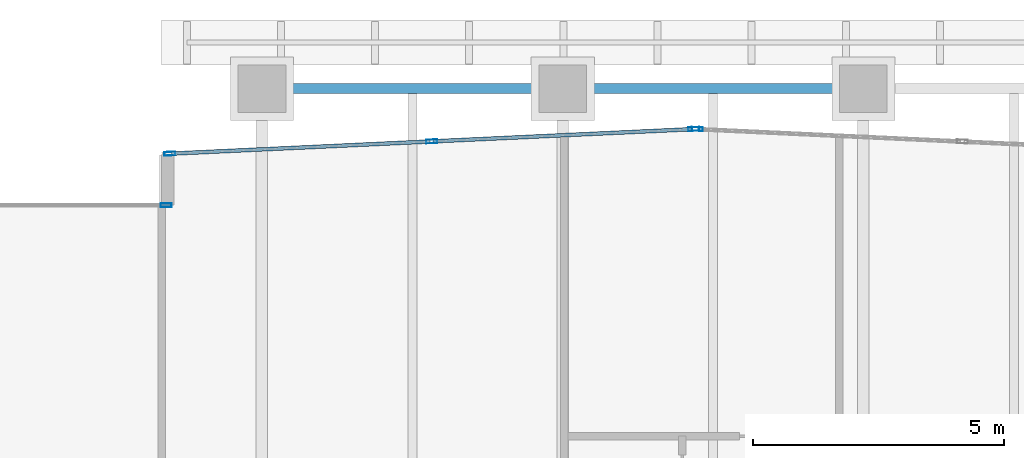
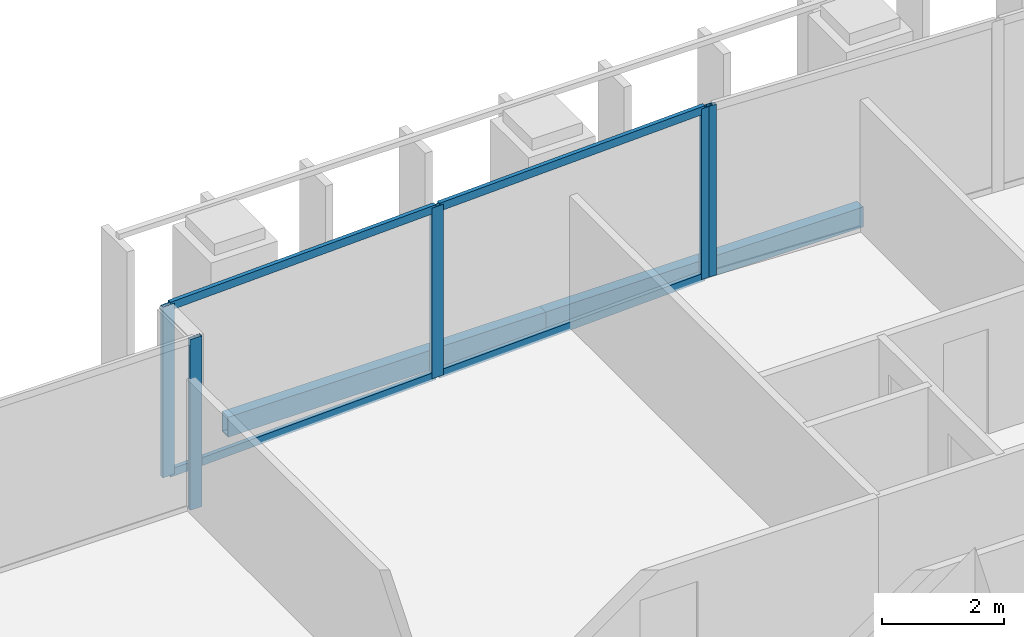
# One storey, part 16 of 39: 9 members, 2 beams, 3 elements without a shape of their own.
"""IFC4 building model written with IfcOpenShell, lengths in metres."""

import ifcopenshell
import ifcopenshell.guid

model = None  # the IFC model being written
_history = None  # IfcOwnerHistory: only IFC2X3 demands one
_inside = {}  # id of a spatial element -> (the spatial element, [elements in it])
_under = {}  # id of a project, library or spatial element -> (it, [spatial elements below it])
_declared = {}  # id of a project -> (the project, [libraries it declares])
_typed = {}  # id of a type object -> (the type object, [elements of that type])
_made_of = {}  # id of a material, layer set ... -> (it, [elements and type objects made of it])


def new_model(schema):
    """Start an empty IFC model of exactly this schema.

    Asked for "IFC4X3", IfcOpenShell would pick the latest addendum, in which some entities
    have other attributes; the version numbers below select the first issue.
    IFC2X3 requires an IfcOwnerHistory on every rooted entity: one is made here for all.
    """
    global model, _history
    if schema == "IFC4X3":
        model = ifcopenshell.file(schema_version=(4, 3, 0, 0))
    else:
        model = ifcopenshell.file(schema=schema)
    _inside.clear()
    _under.clear()
    _declared.clear()
    _typed.clear()
    _made_of.clear()
    _history = None
    if model.schema == "IFC2X3":
        org = make("IfcOrganization", Name="unknown")
        user = make(
            "IfcPersonAndOrganization",
            ThePerson=make("IfcPerson", FamilyName="unknown"),
            TheOrganization=org,
        )
        app = make(
            "IfcApplication",
            ApplicationDeveloper=org,
            Version="unknown",
            ApplicationFullName="unknown",
            ApplicationIdentifier="unknown",
        )
        _history = make(
            "IfcOwnerHistory",
            OwningUser=user,
            OwningApplication=app,
            ChangeAction="ADDED",
            CreationDate=0,
        )
    return model


def make(cls, **values):
    """One entity of the class cls with the attributes given. An attribute that is None is left unset."""
    return model.create_entity(
        cls, **{name: value for name, value in values.items() if value is not None}
    )


def rooted(cls, **values):
    """An entity with a GlobalId (a new one), such as an element, a storey or a relation."""
    return make(cls, GlobalId=ifcopenshell.guid.new(), OwnerHistory=_history, **values)


def si_unit(unit_type, name, prefix=None):
    """IfcSIUnit, for example si_unit("LENGTHUNIT", "METRE", prefix="MILLI")."""
    return make("IfcSIUnit", UnitType=unit_type, Prefix=prefix, Name=name)


def assignment(units):
    """IfcUnitAssignment: the units of a project."""
    return None if units is None else make("IfcUnitAssignment", Units=units)


def point(xyz):
    """IfcCartesianPoint."""
    return None if xyz is None else make("IfcCartesianPoint", Coordinates=xyz)


def direction(xyz):
    """IfcDirection."""
    return None if xyz is None else make("IfcDirection", DirectionRatios=xyz)


def frame(location, z_axis=None, x_axis=None):
    """IfcAxis2Placement3D, a coordinate frame: its origin and axes. An axis left out is left unset."""
    return make(
        "IfcAxis2Placement3D",
        Location=point(location),
        Axis=direction(z_axis),
        RefDirection=direction(x_axis),
    )


def frame_2d(location, x_axis=None):
    """IfcAxis2Placement2D, a coordinate frame in the plane: its origin and x axis."""
    return make(
        "IfcAxis2Placement2D", Location=point(location), RefDirection=direction(x_axis)
    )


def origin():
    """The frame at (0, 0, 0) with its axes left unset."""
    return frame((0.0, 0.0, 0.0))


def origin_2d():
    """The frame at (0, 0) in the plane with its x axis left unset."""
    return frame_2d((0.0, 0.0))


def place(relative_to, where):
    """IfcLocalPlacement: puts the frame where relative to a parent placement (None: the world)."""
    return make(
        "IfcLocalPlacement", PlacementRelTo=relative_to, RelativePlacement=where
    )


def context(
    kind, dimensions, precision=None, world=None, true_north=None, identifier=None
):
    """IfcGeometricRepresentationContext, for example the 3D "Model" context."""
    return make(
        "IfcGeometricRepresentationContext",
        ContextIdentifier=identifier,
        ContextType=kind,
        CoordinateSpaceDimension=dimensions,
        Precision=precision,
        WorldCoordinateSystem=world,
        TrueNorth=true_north,
    )


def subcontext(parent, identifier, kind, view, scale=None):
    """IfcGeometricRepresentationSubContext, for example "Body" below "Model"."""
    return make(
        "IfcGeometricRepresentationSubContext",
        ContextIdentifier=identifier,
        ContextType=kind,
        ParentContext=parent,
        TargetScale=scale,
        TargetView=view,
    )


def project(units=None, contexts=None):
    """IfcProject with its units and contexts."""
    return rooted(
        "IfcProject",
        Name="project",
        RepresentationContexts=contexts,
        UnitsInContext=assignment(units),
    )


def spatial(cls, under=None, at=None, **own):
    """A site, building, storey or space (cls), placed at a placement, below another one or the project."""
    s = rooted(cls, ObjectPlacement=at, **own)
    if under is not None:
        _under.setdefault(under.id(), (under, []))[1].append(s)
    return s


def profile(cls, at=None, kind="AREA", **sizes):
    """A parametric profile (cls). Its sizes go by their IFC names, for example OverallWidth=200.0."""
    return make(cls, ProfileType=kind, Position=at, **sizes)


def hollow_rectangle(**sizes):
    """IfcRectangleHollowProfileDef."""
    return profile("IfcRectangleHollowProfileDef", **sizes)


def extrude(swept, where, along, depth):
    """IfcExtrudedAreaSolid: the profile swept, set in the frame where, extruded along a direction by depth."""
    return make(
        "IfcExtrudedAreaSolid",
        SweptArea=swept,
        Position=where,
        ExtrudedDirection=direction(along),
        Depth=depth,
    )


def shape(context_of_items, identifier, shape_type, items):
    """IfcShapeRepresentation: the items that make up one representation, for example the "Body"."""
    return make(
        "IfcShapeRepresentation",
        ContextOfItems=context_of_items,
        RepresentationIdentifier=identifier,
        RepresentationType=shape_type,
        Items=items,
    )


def material(Name=None, Category=None):
    """IfcMaterial."""
    return make("IfcMaterial", Name=Name, Category=Category)


def layer(
    of_material, thickness, ventilated=None, Name=None, Category=None, Priority=None
):
    """IfcMaterialLayer: one layer of a wall or slab, of a material (None: an air gap)."""
    return make(
        "IfcMaterialLayer",
        Material=of_material,
        LayerThickness=thickness,
        IsVentilated=ventilated,
        Name=Name,
        Category=Category,
        Priority=Priority,
    )


def layer_set(layers, Name=None):
    """IfcMaterialLayerSet."""
    return make("IfcMaterialLayerSet", MaterialLayers=layers, LayerSetName=Name)


def material_profile(
    of_material, cross_section, Name=None, Category=None, Priority=None
):
    """IfcMaterialProfile: a cross section and its material."""
    return make(
        "IfcMaterialProfile",
        Name=Name,
        Material=of_material,
        Profile=cross_section,
        Priority=Priority,
        Category=Category,
    )


def profile_set(profiles, Name=None, composite=None):
    """IfcMaterialProfileSet."""
    return make(
        "IfcMaterialProfileSet",
        Name=Name,
        MaterialProfiles=profiles,
        CompositeProfile=composite,
    )


def made_of(thing, what):
    """Note that an element or type object is made of a material, layer set ...; save() writes the relation."""
    if what is not None:
        _made_of.setdefault(what.id(), (what, []))[1].append(thing)
    return thing


def type_object(cls, material=None, **own):
    """A type object (cls), such as IfcWallType, which elements share."""
    return made_of(rooted(cls, **own), material)


def element(
    cls,
    number,
    at=None,
    inside=None,
    cuts=None,
    type_object=None,
    material=None,
    context=None,
    identifier="Body",
    shape_type=None,
    held_by="IfcProductDefinitionShape",
    body=None,
    shapes=None,
    **own,
):
    """One element of the class cls, such as IfcWall. Its Tag is "e" and its number.

    at: its placement. inside: the storey or other place that contains it. cuts: it is an
    opening in that element (IfcRelVoidsElement). A single representation is given by context,
    identifier, shape_type and body (its items); several are given by shapes. held_by: the class
    of the entity that holds the representations. save() writes the other relations.
    """
    e = rooted(cls, Tag="e%d" % number, ObjectPlacement=at, **own)
    if body is not None:
        shapes = [shape(context, identifier, shape_type, body)]
    if shapes is not None:
        e.Representation = make(held_by, Representations=shapes)
    if inside is not None:
        _inside.setdefault(inside.id(), (inside, []))[1].append(e)
    if cuts is not None:
        rooted(
            "IfcRelVoidsElement", RelatingBuildingElement=cuts, RelatedOpeningElement=e
        )
    if type_object is not None:
        _typed.setdefault(type_object.id(), (type_object, []))[1].append(e)
    return made_of(e, material)


def aggregate(whole, parts):
    """IfcRelAggregates: a whole, such as a stair, and the parts it consists of."""
    return rooted("IfcRelAggregates", RelatingObject=whole, RelatedObjects=parts)


def save(model, path):
    """Write the relations noted so far, then the file.

    IfcRelAggregates (storeys below a building ...), IfcRelContainedInSpatialStructure (elements
    in a storey), IfcRelDefinesByType, IfcRelAssociatesMaterial and IfcRelDeclares: one each for
    every whole, place, type object, material and project.
    """
    for whole, parts in _under.values():
        aggregate(whole, parts)
    for where, things in _inside.values():
        rooted(
            "IfcRelContainedInSpatialStructure",
            RelatedElements=things,
            RelatingStructure=where,
        )
    for kind, things in _typed.values():
        rooted("IfcRelDefinesByType", RelatedObjects=things, RelatingType=kind)
    for what, things in _made_of.values():
        rooted("IfcRelAssociatesMaterial", RelatedObjects=things, RelatingMaterial=what)
    for by, libraries in _declared.values():
        rooted("IfcRelDeclares", RelatingContext=by, RelatedDefinitions=libraries)
    model.write(path)


model = new_model("IFC4")

# Units and contexts
model_context = context("Model", 3, precision=1e-05, world=origin(), true_north=direction((0.0, 1.0)))
body_context = subcontext(model_context, "Body", "Model", "MODEL_VIEW")
ifc_project = project(units=[si_unit("LENGTHUNIT", "METRE"), si_unit("AREAUNIT", "SQUARE_METRE"), si_unit("VOLUMEUNIT", "CUBIC_METRE"), si_unit("PLANEANGLEUNIT", "RADIAN"), si_unit("MASSUNIT", "GRAM", prefix="KILO")], contexts=[model_context])

# Site, building, storey
site_placement = place(None, origin())
site = spatial("IfcSite", under=ifc_project, at=site_placement, CompositionType="ELEMENT")
building_placement = place(site_placement, origin())
building = spatial("IfcBuilding", under=site, at=building_placement, Name="Tanjung Sevakor Pilgrim Tower", CompositionType="ELEMENT")
storey_placement = place(building_placement, frame((0.0, 0.0, 112.199951171875)))
storey = spatial("IfcBuildingStorey", under=building, at=storey_placement, Name="L31", CompositionType="ELEMENT", Elevation=112.199951171875)

# Beams
ifc_material_1 = material(Name="Steel S355J2", Category="steel")
ifc_material_profile_1 = material_profile(ifc_material_1, hollow_rectangle(XDim=0.199951171875, YDim=0.39990234375, WallThickness=0.01611328125, at=origin_2d()))
ifc_profile_set_1 = profile_set([ifc_material_profile_1], Name="Steel S355J2")
beam_type = type_object("IfcBeamType", Name="BM-B-SP2-RHS_400x200x16", PredefinedType="SPANDREL", material=ifc_profile_set_1)
for number, where, z_axis, x_axis, name in (
    (1, (54.0, 56.39990234375, -0.419921875), (1.0, 0.0, 0.0), (0.0, 1.0, 0.0), "L31 Spandrel MAIN N-08"),
    (2, (60.0, 56.39990234375, -0.419921875), (1.0, 0.0, 0.0), (0.0, 1.0, 0.0), "L31 Spandrel MAIN N-10"),
):
    element("IfcBeam", number, at=place(storey_placement, frame(where, z_axis=z_axis, x_axis=x_axis)), inside=storey, type_object=beam_type, Name=name, PredefinedType="SPANDREL", context=body_context, shape_type="SweptSolid", body=[
        extrude(hollow_rectangle(XDim=0.199951171875, YDim=0.39990234375, WallThickness=0.01611328125, at=origin_2d()), origin(), (0.0, 0.0, 1.0), 6.0),
    ])

# Curtain wall, member
ifc_material_2 = material(Name="Aluminium 6063-T6 and Low-E Glass", Category="aluminium")
ifc_layer_1 = layer(ifc_material_2, 0.199951171875)
ifc_layer_set_1 = layer_set([ifc_layer_1], Name="CW-SYS-PRAY")
curtain_wall_type_1 = type_object("IfcCurtainWallType", Name="CW-SYS-PRAY", PredefinedType="NOTDEFINED", material=ifc_layer_set_1)
curtain_wall_1_placement = place(storey_placement, origin())
curtain_wall_1 = element("IfcCurtainWall", 3, at=curtain_wall_1_placement, inside=storey, type_object=curtain_wall_type_1, Name="L31 Curtain Wall CW-PRY-L31-22", PredefinedType="NOTDEFINED")
ifc_material_3 = material(Name="Aluminium 6063-T6", Category="aluminium")
ifc_material_profile_2 = material_profile(ifc_material_3, hollow_rectangle(XDim=0.074951171875, YDim=0.219970703125, WallThickness=0.0048828125, at=origin_2d()))
ifc_profile_set_2 = profile_set([ifc_material_profile_2], Name="Aluminium 6063-T6")
member_type_1 = type_object("IfcMemberType", Name="TYPE-CWM-2", PredefinedType="MULLION", material=ifc_profile_set_2)
member_1_placement = place(storey_placement, frame((62.6875, 55.59326171875, 0.0), z_axis=(0.0, 0.0, 1.0), x_axis=(-0.046903911367, -0.998899405896, 0.0)))
member_1 = element("IfcMember", 4, at=member_1_placement, type_object=member_type_1, Name="CW-PRY mullion 3", PredefinedType="MULLION", context=body_context, shape_type="SweptSolid", body=[
    extrude(hollow_rectangle(XDim=0.074951171875, YDim=0.219970703125, WallThickness=0.0048828125, at=origin_2d()), origin(), (0.0, 0.0, 1.0), 3.41015625),
])
aggregate(curtain_wall_1, [member_1])

# Curtain wall, members
curtain_wall_2_placement = place(storey_placement, origin())
curtain_wall_2 = element("IfcCurtainWall", 5, at=curtain_wall_2_placement, inside=storey, type_object=curtain_wall_type_1, Name="L31 Curtain Wall CW-PRY-L31-23", PredefinedType="NOTDEFINED")
member_2_placement = place(storey_placement, frame((62.612548828125, 55.59326171875, 0.0), z_axis=(0.0, 0.0, 1.0), x_axis=(0.046903192699, -0.998899439641, 0.0)))
member_2 = element("IfcMember", 6, at=member_2_placement, type_object=member_type_1, Name="CW-PRY mullion 1", PredefinedType="MULLION", context=body_context, shape_type="SweptSolid", body=[
    extrude(hollow_rectangle(XDim=0.074951171875, YDim=0.219970703125, WallThickness=0.0048828125, at=origin_2d()), origin(), (0.0, 0.0, 1.0), 3.41015625),
])
member_3_placement = place(storey_placement, frame((57.387451171875, 55.347900390625, 0.0), z_axis=(0.0, 0.0, 1.0), x_axis=(0.046903192699, -0.998899439641, 0.0)))
member_3 = element("IfcMember", 7, at=member_3_placement, type_object=member_type_1, Name="CW-PRY mullion 2", PredefinedType="MULLION", context=body_context, shape_type="SweptSolid", body=[
    extrude(hollow_rectangle(XDim=0.074951171875, YDim=0.219970703125, WallThickness=0.0048828125, at=origin_2d()), origin(), (0.0, 0.0, 1.0), 3.41015625),
])
member_4_placement = place(storey_placement, frame((52.162353515625, 55.1025390625, 0.0), z_axis=(0.0, 0.0, 1.0), x_axis=(0.046903192699, -0.998899439641, 0.0)))
member_4 = element("IfcMember", 8, at=member_4_placement, type_object=member_type_1, Name="CW-PRY mullion 3", PredefinedType="MULLION", context=body_context, shape_type="SweptSolid", body=[
    extrude(hollow_rectangle(XDim=0.074951171875, YDim=0.219970703125, WallThickness=0.0048828125, at=origin_2d()), origin(), (0.0, 0.0, 1.0), 3.41015625),
])

# Curtain wall, member
ifc_material_4 = material(Name="Aluminium 6063-T6 and Low-E Glass", Category="aluminium")
ifc_layer_2 = layer(ifc_material_4, 0.179931640625)
ifc_layer_set_2 = layer_set([ifc_layer_2], Name="CW-SYS-CLEFT")
curtain_wall_type_2 = type_object("IfcCurtainWallType", Name="CW-SYS-CLEFT", PredefinedType="NOTDEFINED", material=ifc_layer_set_2)
curtain_wall_3_placement = place(storey_placement, origin())
curtain_wall_3 = element("IfcCurtainWall", 9, at=curtain_wall_3_placement, inside=storey, type_object=curtain_wall_type_2, Name="L31 Curtain Wall CW-CLF-L31-25", PredefinedType="NOTDEFINED")
member_5_placement = place(storey_placement, frame((52.08740234375, 54.074951171875, 0.0), z_axis=(0.0, 0.0, 1.0), x_axis=(0.0, -1.0, 0.0)))
member_5 = element("IfcMember", 10, at=member_5_placement, type_object=member_type_1, Name="CW-CLF mullion 1", PredefinedType="MULLION", context=body_context, shape_type="SweptSolid", body=[
    extrude(hollow_rectangle(XDim=0.074951171875, YDim=0.219970703125, WallThickness=0.0048828125, at=origin_2d()), origin(), (0.0, 0.0, 1.0), 3.41015625),
])
aggregate(curtain_wall_3, [member_5])

# Member
ifc_material_5 = material(Name="Aluminium 6063-T6", Category="aluminium")
ifc_material_profile_3 = material_profile(ifc_material_5, hollow_rectangle(XDim=0.074951171875, YDim=0.159912109375, WallThickness=0.00439453125, at=origin_2d()))
ifc_profile_set_3 = profile_set([ifc_material_profile_3], Name="Aluminium 6063-T6")
member_type_2 = type_object("IfcMemberType", Name="TYPE-CWT-2", PredefinedType="USERDEFINED", material=ifc_profile_set_3)
member_6_placement = place(storey_placement, frame((62.5751953125, 55.59130859375, 0.03759765625), z_axis=(-0.998900577389, -0.046878955753, 0.0), x_axis=(0.046878955753, -0.998900577389, 0.0)))
member_6 = element("IfcMember", 11, at=member_6_placement, type_object=member_type_2, Name="CW-PRY transom 1.1", ObjectType="TRANSOM", PredefinedType="USERDEFINED", context=body_context, shape_type="SweptSolid", body=[
    extrude(hollow_rectangle(XDim=0.074951171875, YDim=0.159912109375, WallThickness=0.00439453125, at=origin_2d()), origin(), (0.0, 0.0, 1.0), 5.15576171875),
])

member_7_placement = place(storey_placement, frame((62.5751953125, 55.59130859375, 3.37255859375), z_axis=(-0.998900577389, -0.046878955753, 0.0), x_axis=(0.046878955753, -0.998900577389, 0.0)))
member_7 = element("IfcMember", 12, at=member_7_placement, type_object=member_type_2, Name="CW-PRY transom 1.2", ObjectType="TRANSOM", PredefinedType="USERDEFINED", context=body_context, shape_type="SweptSolid", body=[
    extrude(hollow_rectangle(XDim=0.074951171875, YDim=0.159912109375, WallThickness=0.00439453125, at=origin_2d()), origin(), (0.0, 0.0, 1.0), 5.15576171875),
])

member_8_placement = place(storey_placement, frame((57.35009765625, 55.345947265625, 0.03759765625), z_axis=(-0.998900577389, -0.046878955753, 0.0), x_axis=(0.046878955753, -0.998900577389, 0.0)))
member_8 = element("IfcMember", 13, at=member_8_placement, type_object=member_type_2, Name="CW-PRY transom 2.1", ObjectType="TRANSOM", PredefinedType="USERDEFINED", context=body_context, shape_type="SweptSolid", body=[
    extrude(hollow_rectangle(XDim=0.074951171875, YDim=0.159912109375, WallThickness=0.00439453125, at=origin_2d()), origin(), (0.0, 0.0, 1.0), 5.15576171875),
])

member_9_placement = place(storey_placement, frame((57.35009765625, 55.345947265625, 3.37255859375), z_axis=(-0.998900577389, -0.046878955753, 0.0), x_axis=(0.046878955753, -0.998900577389, 0.0)))
member_9 = element("IfcMember", 14, at=member_9_placement, type_object=member_type_2, Name="CW-PRY transom 2.2", ObjectType="TRANSOM", PredefinedType="USERDEFINED", context=body_context, shape_type="SweptSolid", body=[
    extrude(hollow_rectangle(XDim=0.074951171875, YDim=0.159912109375, WallThickness=0.00439453125, at=origin_2d()), origin(), (0.0, 0.0, 1.0), 5.15576171875),
])

aggregate(curtain_wall_2, [member_2, member_3, member_4, member_6, member_7, member_8, member_9])

save(model, "model.ifc")
